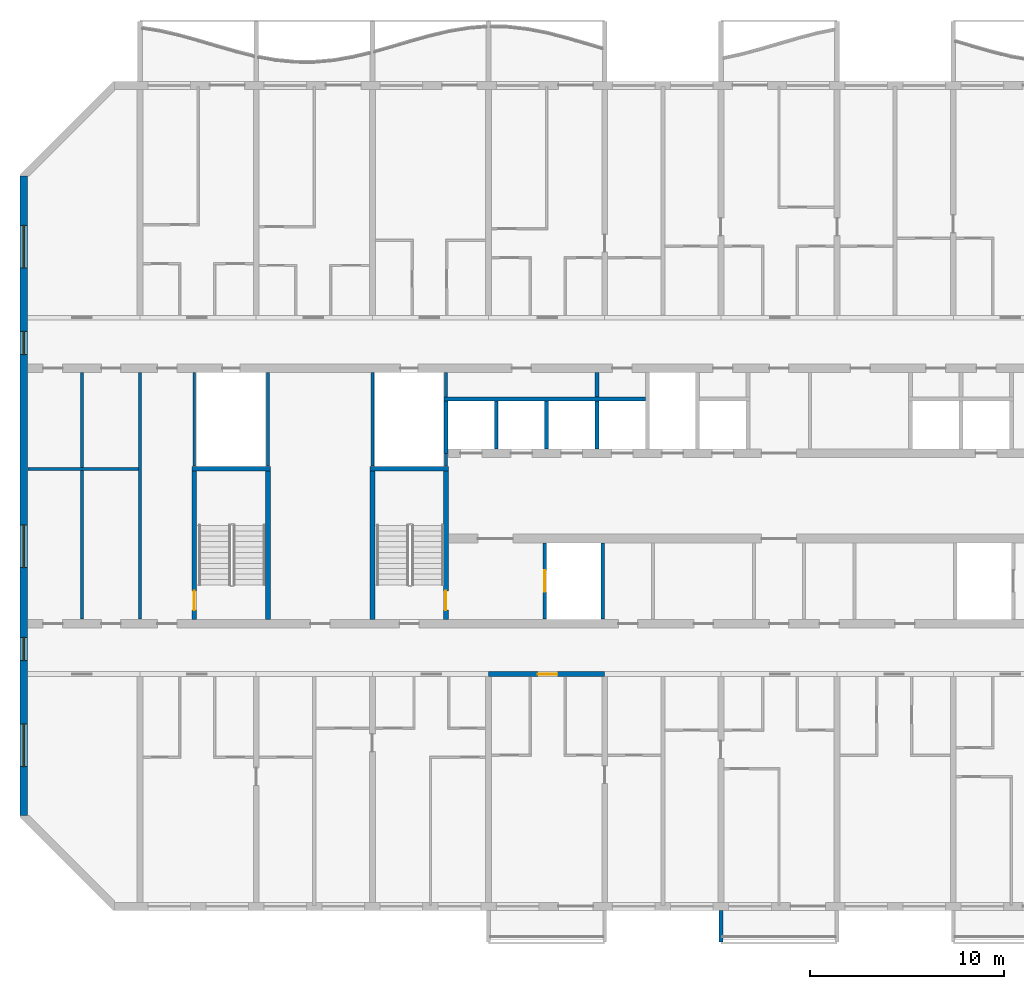
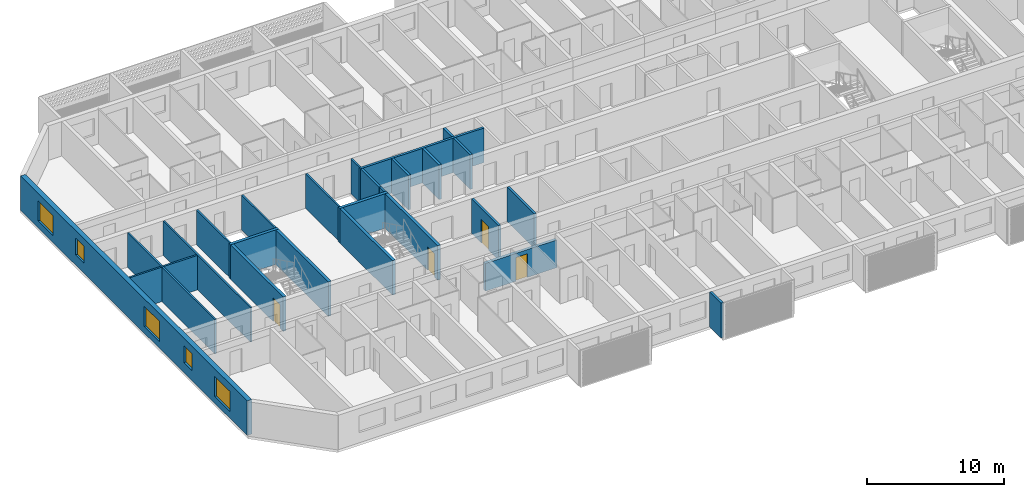
# One storey, part 3 of 32: 25 walls, 5 windows, 4 doors, 9 openings.
"""IFC4 building model written with IfcOpenShell, lengths in metres."""

from ifc_helpers import new_model, si_unit, direction, frame, frame_2d, origin, place, context, subcontext, project, spatial, polyline, rectangle, outline, extrude, source, transform, mapped, material, layer, layer_set, type_object, element, fill, save


model = new_model("IFC4")

# Units and contexts
model_context = context("Model", 3, precision=1e-05, world=origin(), true_north=direction((0.0, 1.0)))
body_context = subcontext(model_context, "Body", "Model", "MODEL_VIEW")
ifc_project = project(units=[si_unit("LENGTHUNIT", "METRE"), si_unit("AREAUNIT", "SQUARE_METRE"), si_unit("VOLUMEUNIT", "CUBIC_METRE"), si_unit("PLANEANGLEUNIT", "RADIAN"), si_unit("MASSUNIT", "GRAM", prefix="KILO")], contexts=[model_context])

# Site, building, storey
site_placement = place(None, origin())
site = spatial("IfcSite", under=ifc_project, at=site_placement, CompositionType="ELEMENT")
building_placement = place(site_placement, origin())
building = spatial("IfcBuilding", under=site, at=building_placement, Name="Poui Terraces", CompositionType="ELEMENT")
storey_placement = place(building_placement, frame((0.0, 0.0, 129.0)))
storey = spatial("IfcBuildingStorey", under=building, at=storey_placement, Name="L35", CompositionType="ELEMENT", Elevation=129.0)

# Wall
ifc_material_1 = material(Name="Fire-rated plasterboard wall")
ifc_layer_1 = layer(ifc_material_1, 0.14990234375)
ifc_layer_set_1 = layer_set([ifc_layer_1], Name="Fire-rated plasterboard wall")
wall_type_1 = type_object("IfcWallType", Name="CORRIDOR WALL 150", PredefinedType="PARTITIONING", material=ifc_layer_set_1)
wall_1_placement = place(storey_placement, frame((18.0, 14.8349609375, 0.0), z_axis=(0.0, 0.0, 1.0), x_axis=(0.0, 1.0, 0.0)))
element("IfcWall", 1, at=wall_1_placement, inside=storey, type_object=wall_type_1, Name="CORRIDOR WALL 150", PredefinedType="PARTITIONING", context=body_context, shape_type="SweptSolid", body=[
    extrude(rectangle(XDim=12.72998046875, YDim=0.14990234375, at=frame_2d((6.364990234375, 0.0))), origin(), (0.0, 0.0, 1.0), 3.070068359375),
])

# Wall, opening, door
ifc_material_2 = material(Name="Concrete 65 MPa", Category="concrete")
ifc_layer_2 = layer(ifc_material_2, 0.25)
ifc_layer_set_2 = layer_set([ifc_layer_2], Name="Concrete 65 MPa")
wall_type_2 = type_object("IfcWallType", Name="CORRIDOR WALL 250 65MPa", PredefinedType="SHEAR", material=ifc_layer_set_2)
wall_2_placement = place(storey_placement, frame((36.0, 12.0, 0.0), z_axis=(0.0, 0.0, 1.0), x_axis=(1.0, 0.0, 0.0)))
wall_2 = element("IfcWall", 2, at=wall_2_placement, inside=storey, type_object=wall_type_2, Name="CORRIDOR WALL LINE B BAY 5", PredefinedType="SHEAR", context=body_context, shape_type="SweptSolid", body=[
    extrude(rectangle(XDim=6.0, YDim=0.25, at=frame_2d((3.0, 0.0))), origin(), (0.0, 0.0, 1.0), 2.469970703125),
])
opening_1_placement = place(wall_2_placement, frame((2.550048828125, 0.0, 0.0)))
opening_1 = element("IfcOpeningElement", 3, at=opening_1_placement, cuts=wall_2, Name="Opening FD30S", PredefinedType="OPENING", context=body_context, shape_type="SweptSolid", body=[
    extrude(rectangle(XDim=1.0, YDim=2.10009765625, at=frame_2d((0.5, 1.050048828125))), frame((0.0, 0.135009765625, 0.0), z_axis=(0.0, -1.0, 0.0), x_axis=(1.0, 0.0, 0.0)), (0.0, 0.0, 1.0), 0.27001953125),
])
ifc_material_3 = material(Name="Steel fire door", Category="steel")
door_type_1 = type_object("IfcDoorType", Name="FLAT ENTRANCE DOOR 1000 X 2100", OperationType="NOTDEFINED", PredefinedType="DOOR", material=ifc_material_3)
door_1_placement = place(opening_1_placement, frame((1.0, 0.0, 0.0), z_axis=(0.0, 0.0, 1.0), x_axis=(-1.0, 0.0, 0.0)))
door_1 = element("IfcDoor", 4, at=door_1_placement, inside=storey, type_object=door_type_1, Name="FLAT ENTRANCE DOOR 092", OperationType="SINGLE_SWING_LEFT", OverallHeight=2.10009765625, OverallWidth=1.0, PredefinedType="DOOR", context=body_context, shape_type="SweptSolid", body=[
    extrude(rectangle(XDim=1.0, YDim=2.10009765625, at=frame_2d((0.5, 1.050048828125))), frame((0.0, 0.02490234375, 0.0), z_axis=(0.0, -1.0, 0.0), x_axis=(1.0, 0.0, 0.0)), (0.0, 0.0, 1.0), 0.050048828125),
])
fill(opening_1, door_1)

# Wall, openings, windows
ifc_layer_3 = layer(ifc_material_2, 0.39990234375)
ifc_layer_set_3 = layer_set([ifc_layer_3], Name="Concrete 65 MPa")
wall_type_3 = type_object("IfcWallType", Name="END WALL 400 65MPa", PredefinedType="SHEAR", material=ifc_layer_set_3)
wall_3_placement = place(storey_placement, frame((12.0, 4.682861328125, 0.0), z_axis=(0.0, 0.0, 1.0), x_axis=(0.0, 1.0, 0.0)))
wall_3 = element("IfcWall", 5, at=wall_3_placement, inside=storey, type_object=wall_type_3, Name="END WALL WEST", PredefinedType="SHEAR", context=body_context, shape_type="SweptSolid", body=[
    extrude(rectangle(XDim=33.034423828125, YDim=0.39990234375, at=frame_2d((16.51708984375, 0.0))), origin(), (0.0, 0.0, 1.0), 3.070068359375),
])
opening_2_placement = place(wall_3_placement, frame((23.817138671875, 0.0, 0.89990234375)))
opening_2 = element("IfcOpeningElement", 6, at=opening_2_placement, cuts=wall_3, Name="Opening W2", PredefinedType="OPENING", context=body_context, shape_type="SweptSolid", body=[
    extrude(rectangle(XDim=1.199951171875, YDim=1.5, at=frame_2d((0.60009765625, 0.75))), frame((0.0, 0.2099609375, 0.0), z_axis=(0.0, -1.0, 0.0), x_axis=(1.0, 0.0, 0.0)), (0.0, 0.0, 1.0), 0.419921875),
])
opening_3_placement = place(wall_3_placement, frame((8.01708984375, 0.0, 0.89990234375)))
opening_3 = element("IfcOpeningElement", 7, at=opening_3_placement, cuts=wall_3, Name="Opening W2", PredefinedType="OPENING", context=body_context, shape_type="SweptSolid", body=[
    extrude(rectangle(XDim=1.199951171875, YDim=1.5, at=frame_2d((0.60009765625, 0.75))), frame((0.0, 0.2099609375, 0.0), z_axis=(0.0, -1.0, 0.0), x_axis=(1.0, 0.0, 0.0)), (0.0, 0.0, 1.0), 0.419921875),
])
opening_4_placement = place(wall_3_placement, frame((28.29345703125, 0.0, 0.60009765625)))
opening_4 = element("IfcOpeningElement", 8, at=opening_4_placement, cuts=wall_3, Name="Opening W3", PredefinedType="OPENING", context=body_context, shape_type="SweptSolid", body=[
    extrude(rectangle(XDim=2.199951171875, YDim=1.800048828125, at=frame_2d((1.10009765625, 0.89990234375))), frame((0.0, 0.2099609375, 0.0), z_axis=(0.0, -1.0, 0.0), x_axis=(1.0, 0.0, 0.0)), (0.0, 0.0, 1.0), 0.419921875),
])
opening_5_placement = place(wall_3_placement, frame((2.541015625, 0.0, 0.60009765625)))
opening_5 = element("IfcOpeningElement", 9, at=opening_5_placement, cuts=wall_3, Name="Opening W3", PredefinedType="OPENING", context=body_context, shape_type="SweptSolid", body=[
    extrude(rectangle(XDim=2.199951171875, YDim=1.800048828125, at=frame_2d((1.10009765625, 0.89990234375))), frame((0.0, 0.2099609375, 0.0), z_axis=(0.0, -1.0, 0.0), x_axis=(1.0, 0.0, 0.0)), (0.0, 0.0, 1.0), 0.419921875),
])
opening_6_placement = place(wall_3_placement, frame((12.817138671875, 0.0, 0.60009765625)))
opening_6 = element("IfcOpeningElement", 10, at=opening_6_placement, cuts=wall_3, Name="Opening W3", PredefinedType="OPENING", context=body_context, shape_type="SweptSolid", body=[
    extrude(rectangle(XDim=2.199951171875, YDim=1.800048828125, at=frame_2d((1.10009765625, 0.89990234375))), frame((0.0, 0.2099609375, 0.0), z_axis=(0.0, -1.0, 0.0), x_axis=(1.0, 0.0, 0.0)), (0.0, 0.0, 1.0), 0.419921875),
])
ifc_material_4 = material(Name="Clear glass in aluminium frame", Category="aluminium")
window_type_1 = type_object("IfcWindowType", Name="WINDOW 1200X1500", PartitioningType="SINGLE_PANEL", PredefinedType="WINDOW", material=ifc_material_4)
window_1_placement = place(opening_2_placement, origin())
window_1 = element("IfcWindow", 11, at=window_1_placement, inside=storey, type_object=window_type_1, Name="W2 WINDOW", OverallHeight=1.5, OverallWidth=1.199951171875, PartitioningType="SINGLE_PANEL", PredefinedType="WINDOW", context=body_context, shape_type="SweptSolid", body=[
    extrude(rectangle(XDim=1.199951171875, YDim=1.5, at=frame_2d((0.60009765625, 0.75))), frame((0.0, 0.030029296875, 0.0), z_axis=(0.0, -1.0, 0.0), x_axis=(1.0, 0.0, 0.0)), (0.0, 0.0, 1.0), 0.06005859375),
])
fill(opening_2, window_1)
window_2_placement = place(opening_3_placement, origin())
window_2 = element("IfcWindow", 12, at=window_2_placement, inside=storey, type_object=window_type_1, Name="W2 WINDOW", OverallHeight=1.5, OverallWidth=1.199951171875, PartitioningType="SINGLE_PANEL", PredefinedType="WINDOW", context=body_context, shape_type="SweptSolid", body=[
    extrude(rectangle(XDim=1.199951171875, YDim=1.5, at=frame_2d((0.60009765625, 0.75))), frame((0.0, 0.030029296875, 0.0), z_axis=(0.0, -1.0, 0.0), x_axis=(1.0, 0.0, 0.0)), (0.0, 0.0, 1.0), 0.06005859375),
])
fill(opening_3, window_2)
window_type_2 = type_object("IfcWindowType", Name="WINDOW 2200X1800", PartitioningType="DOUBLE_PANEL_HORIZONTAL", PredefinedType="WINDOW", material=ifc_material_4)
window_3_placement = place(opening_4_placement, origin())
window_3 = element("IfcWindow", 13, at=window_3_placement, inside=storey, type_object=window_type_2, Name="W3 WINDOW", OverallHeight=1.800048828125, OverallWidth=2.199951171875, PartitioningType="DOUBLE_PANEL_HORIZONTAL", PredefinedType="WINDOW", context=body_context, shape_type="SweptSolid", body=[
    extrude(rectangle(XDim=2.199951171875, YDim=1.800048828125, at=frame_2d((1.10009765625, 0.89990234375))), frame((0.0, 0.030029296875, 0.0), z_axis=(0.0, -1.0, 0.0), x_axis=(1.0, 0.0, 0.0)), (0.0, 0.0, 1.0), 0.06005859375),
])
fill(opening_4, window_3)
window_4_placement = place(opening_5_placement, origin())
window_4 = element("IfcWindow", 14, at=window_4_placement, inside=storey, type_object=window_type_2, Name="W3 WINDOW", OverallHeight=1.800048828125, OverallWidth=2.199951171875, PartitioningType="DOUBLE_PANEL_HORIZONTAL", PredefinedType="WINDOW", context=body_context, shape_type="SweptSolid", body=[
    extrude(rectangle(XDim=2.199951171875, YDim=1.800048828125, at=frame_2d((1.10009765625, 0.89990234375))), frame((0.0, 0.030029296875, 0.0), z_axis=(0.0, -1.0, 0.0), x_axis=(1.0, 0.0, 0.0)), (0.0, 0.0, 1.0), 0.06005859375),
])
fill(opening_5, window_4)
window_5_placement = place(opening_6_placement, origin())
window_5 = element("IfcWindow", 15, at=window_5_placement, inside=storey, type_object=window_type_2, Name="W3 WINDOW", OverallHeight=1.800048828125, OverallWidth=2.199951171875, PartitioningType="DOUBLE_PANEL_HORIZONTAL", PredefinedType="WINDOW", context=body_context, shape_type="SweptSolid", body=[
    extrude(rectangle(XDim=2.199951171875, YDim=1.800048828125, at=frame_2d((1.10009765625, 0.89990234375))), frame((0.0, 0.030029296875, 0.0), z_axis=(0.0, -1.0, 0.0), x_axis=(1.0, 0.0, 0.0)), (0.0, 0.0, 1.0), 0.06005859375),
])
fill(opening_6, window_5)

# Walls
ifc_material_5 = material(Name="Plasterboard partition")
ifc_layer_4 = layer(ifc_material_5, 0.14990234375)
ifc_layer_set_4 = layer_set([ifc_layer_4], Name="Plasterboard partition")
wall_type_4 = type_object("IfcWallType", Name="PARTITION WALL 150", PredefinedType="PARTITIONING", material=ifc_layer_set_4)
wall_4_placement = place(storey_placement, frame((12.2099609375, 22.60009765625, 0.0), z_axis=(0.0, 0.0, 1.0), x_axis=(1.0, 0.0, 0.0)))
element("IfcWall", 16, at=wall_4_placement, inside=storey, type_object=wall_type_4, Name="PARTITION WALL 150", PredefinedType="PARTITIONING", context=body_context, shape_type="SweptSolid", body=[
    extrude(rectangle(XDim=5.715087890625, YDim=0.14990234375, at=frame_2d((2.857421875, 0.0))), origin(), (0.0, 0.0, 1.0), 3.070068359375),
])
wall_5_placement = place(storey_placement, frame((15.0, 14.8349609375, 0.0), z_axis=(0.0, 0.0, 1.0), x_axis=(0.0, 1.0, 0.0)))
element("IfcWall", 17, at=wall_5_placement, inside=storey, type_object=wall_type_4, Name="PARTITION WALL 150", PredefinedType="PARTITIONING", context=body_context, shape_type="SweptSolid", body=[
    extrude(rectangle(XDim=12.72998046875, YDim=0.14990234375, at=frame_2d((6.364990234375, 0.0))), origin(), (0.0, 0.0, 1.0), 3.070068359375),
])
ifc_material_6 = material(Name="Fire-rated masonry wall", Category="masonry")
ifc_layer_5 = layer(ifc_material_6, 0.199951171875)
ifc_layer_set_5 = layer_set([ifc_layer_5], Name="Fire-rated masonry wall")
wall_type_5 = type_object("IfcWallType", Name="PLANT ROOM WALL 200", PredefinedType="PARTITIONING", material=ifc_layer_set_5)
wall_6_placement = place(storey_placement, frame((41.60009765625, 26.300048828125, 0.0), z_axis=(0.0, 0.0, 1.0), x_axis=(0.0, 1.0, 0.0)))
element("IfcWall", 18, at=wall_6_placement, inside=storey, type_object=wall_type_5, Name="PLANT ROOM WALL 200", PredefinedType="PARTITIONING", context=body_context, shape_type="SweptSolid", body=[
    extrude(rectangle(XDim=1.264892578125, YDim=0.199951171875, at=frame_2d((0.63232421875, 0.0))), origin(), (0.0, 0.0, 1.0), 3.070068359375),
])
ifc_material_7 = material(Name="Fire-rated plasterboard riser wall")
ifc_layer_6 = layer(ifc_material_7, 0.14990234375)
ifc_layer_set_6 = layer_set([ifc_layer_6], Name="Fire-rated plasterboard riser wall")
wall_type_6 = type_object("IfcWallType", Name="RISER WALL 150", PredefinedType="PARTITIONING", material=ifc_layer_set_6)
for number, where, z_axis, x_axis, name in (
    (19, (20.800048828125, 22.735107421875, 0.0), (0.0, 0.0, 1.0), (0.0, 1.0, 0.0), "RISER WALL 150"),
    (20, (24.60009765625, 22.735107421875, 0.0), (0.0, 0.0, 1.0), (0.0, 1.0, 0.0), "RISER WALL 150"),
    (21, (30.0, 22.735107421875, 0.0), (0.0, 0.0, 1.0), (0.0, 1.0, 0.0), "RISER WALL 150"),
):
    element("IfcWall", number, at=place(storey_placement, frame(where, z_axis=z_axis, x_axis=x_axis)), inside=storey, type_object=wall_type_6, Name=name, PredefinedType="PARTITIONING", context=body_context, shape_type="SweptSolid", body=[
        extrude(rectangle(XDim=4.829833984375, YDim=0.14990234375, at=frame_2d((2.4150390625, 0.0))), origin(), (0.0, 0.0, 1.0), 3.070068359375),
    ])
wall_7_placement = place(storey_placement, frame((33.800048828125, 22.735107421875, 0.0), z_axis=(0.0, 0.0, 1.0), x_axis=(0.0, 1.0, 0.0)))
element("IfcWall", 22, at=wall_7_placement, inside=storey, type_object=wall_type_6, Name="RISER WALL 150", PredefinedType="PARTITIONING", context=body_context, shape_type="SweptSolid", body=[
    extrude(rectangle(XDim=0.664794921875, YDim=0.14990234375, at=frame_2d((0.33251953125, 0.0))), origin(), (0.0, 0.0, 1.0), 3.070068359375),
])
wall_8_placement = place(storey_placement, frame((33.800048828125, 26.300048828125, 0.0), z_axis=(0.0, 0.0, 1.0), x_axis=(0.0, 1.0, 0.0)))
element("IfcWall", 23, at=wall_8_placement, inside=storey, type_object=wall_type_6, Name="RISER WALL 150", PredefinedType="PARTITIONING", context=body_context, shape_type="SweptSolid", body=[
    extrude(rectangle(XDim=1.264892578125, YDim=0.14990234375, at=frame_2d((0.63232421875, 0.0))), origin(), (0.0, 0.0, 1.0), 3.070068359375),
])
ifc_material_8 = material(Name="Fire-rated masonry shaft wall", Category="masonry")
ifc_layer_7 = layer(ifc_material_8, 0.199951171875)
ifc_layer_set_7 = layer_set([ifc_layer_7], Name="Fire-rated masonry shaft wall")
wall_type_7 = type_object("IfcWallType", Name="SHAFT WALL 200", PredefinedType="PARTITIONING", material=ifc_layer_set_7)
wall_9_placement = place(storey_placement, frame((33.699951171875, 26.199951171875, 0.0), z_axis=(0.0, 0.0, 1.0), x_axis=(1.0, 0.0, 0.0)))
element("IfcWall", 24, at=wall_9_placement, inside=storey, type_object=wall_type_7, Name="SHAFT WALL 200", PredefinedType="PARTITIONING", context=body_context, shape_type="SweptSolid", body=[
    extrude(rectangle(XDim=10.400146484375, YDim=0.199951171875, at=frame_2d((5.2001953125, 0.0))), origin(), (0.0, 0.0, 1.0), 3.070068359375),
])
wall_10_placement = place(storey_placement, frame((33.800048828125, 23.39990234375, 0.0), z_axis=(0.0, 0.0, 1.0), x_axis=(0.0, 1.0, 0.0)))
element("IfcWall", 25, at=wall_10_placement, inside=storey, type_object=wall_type_7, Name="SHAFT WALL 200", PredefinedType="PARTITIONING", context=body_context, shape_type="SweptSolid", body=[
    extrude(rectangle(XDim=2.7001953125, YDim=0.199951171875, at=frame_2d((1.35009765625, 0.0))), origin(), (0.0, 0.0, 1.0), 3.070068359375),
])
wall_11_placement = place(storey_placement, frame((36.39990234375, 23.635009765625, 0.0), z_axis=(0.0, 0.0, 1.0), x_axis=(0.0, 1.0, 0.0)))
element("IfcWall", 26, at=wall_11_placement, inside=storey, type_object=wall_type_7, Name="SHAFT WALL 200", PredefinedType="PARTITIONING", context=body_context, shape_type="SweptSolid", body=[
    extrude(rectangle(XDim=2.465087890625, YDim=0.199951171875, at=frame_2d((1.232421875, 0.0))), origin(), (0.0, 0.0, 1.0), 3.070068359375),
])

# Wall, opening, door
wall_12_placement = place(storey_placement, frame((38.89990234375, 14.8349609375, 0.0), z_axis=(0.0, 0.0, 1.0), x_axis=(0.0, 1.0, 0.0)))
wall_12 = element("IfcWall", 27, at=wall_12_placement, inside=storey, type_object=wall_type_7, Name="SHAFT WALL 200", PredefinedType="PARTITIONING", context=body_context, shape_type="SweptSolid", body=[
    extrude(rectangle(XDim=3.929931640625, YDim=0.199951171875, at=frame_2d((1.96484375, 0.0))), origin(), (0.0, 0.0, 1.0), 3.070068359375),
])
opening_7_placement = place(wall_12_placement, frame((1.4150390625, 0.0, 0.0)))
opening_7 = element("IfcOpeningElement", 28, at=opening_7_placement, cuts=wall_12, Name="Opening LD", PredefinedType="OPENING", context=body_context, shape_type="SweptSolid", body=[
    extrude(rectangle(XDim=1.10009765625, YDim=2.10009765625, at=frame_2d((0.550048828125, 1.050048828125))), frame((0.0, 0.10986328125, 0.0), z_axis=(0.0, -1.0, 0.0), x_axis=(1.0, 0.0, 0.0)), (0.0, 0.0, 1.0), 0.219970703125),
])
ifc_material_9 = material(Name="Stainless steel sliding door", Category="steel")
door_type_2 = type_object("IfcDoorType", Name="LIFT LANDING DOOR 1100 X 2100", OperationType="DOUBLE_DOOR_SLIDING", PredefinedType="DOOR", material=ifc_material_9)
door_2_placement = place(opening_7_placement, origin())
door_2 = element("IfcDoor", 29, at=door_2_placement, inside=storey, type_object=door_type_2, Name="LANDING DOOR", OperationType="DOUBLE_DOOR_SLIDING", OverallHeight=2.10009765625, OverallWidth=1.10009765625, PredefinedType="DOOR", context=body_context, shape_type="SweptSolid", body=[
    extrude(rectangle(XDim=1.10009765625, YDim=2.10009765625, at=frame_2d((0.550048828125, 1.050048828125))), frame((0.0, 0.02490234375, 0.0), z_axis=(0.0, -1.0, 0.0), x_axis=(1.0, 0.0, 0.0)), (0.0, 0.0, 1.0), 0.050048828125),
])
fill(opening_7, door_2)

# Walls
for number, where, z_axis, x_axis, name in (
    (30, (39.0, 23.635009765625, 0.0), (0.0, 0.0, 1.0), (0.0, 1.0, 0.0), "SHAFT WALL 200"),
    (31, (41.60009765625, 23.635009765625, 0.0), (0.0, 0.0, 1.0), (0.0, 1.0, 0.0), "SHAFT WALL 200"),
):
    element("IfcWall", number, at=place(storey_placement, frame(where, z_axis=z_axis, x_axis=x_axis)), inside=storey, type_object=wall_type_7, Name=name, PredefinedType="PARTITIONING", context=body_context, shape_type="SweptSolid", body=[
        extrude(rectangle(XDim=2.465087890625, YDim=0.199951171875, at=frame_2d((1.232421875, 0.0))), origin(), (0.0, 0.0, 1.0), 3.070068359375),
    ])
wall_13_placement = place(storey_placement, frame((41.89990234375, 14.8349609375, 0.0), z_axis=(0.0, 0.0, 1.0), x_axis=(0.0, 1.0, 0.0)))
element("IfcWall", 32, at=wall_13_placement, inside=storey, type_object=wall_type_7, Name="SHAFT WALL 200", PredefinedType="PARTITIONING", context=body_context, shape_type="SweptSolid", body=[
    extrude(rectangle(XDim=3.929931640625, YDim=0.199951171875, at=frame_2d((1.96484375, 0.0))), origin(), (0.0, 0.0, 1.0), 3.070068359375),
])
ifc_layer_8 = layer(ifc_material_2, 0.25)
ifc_layer_set_8 = layer_set([ifc_layer_8], Name="Concrete 65 MPa")
wall_type_8 = type_object("IfcWallType", Name="STAIR CORE WALL 250 65 MPA", PredefinedType="SOLIDWALL", material=ifc_layer_set_8)
wall_14_placement = place(storey_placement, frame((30.0, 14.824951171875, 0.0), z_axis=(0.0, 0.0, 1.0), x_axis=(0.0, 1.0, 0.0)))
element("IfcWall", 33, at=wall_14_placement, inside=storey, type_object=wall_type_8, Name="STAIR CORE WALL", PredefinedType="SOLIDWALL", context=body_context, shape_type="SweptSolid", body=[
    extrude(rectangle(XDim=7.650146484375, YDim=0.25, at=frame_2d((3.8251953125, 0.0))), origin(), (0.0, 0.0, 1.0), 3.070068359375),
])

# Wall, opening, door
wall_15_placement = place(storey_placement, frame((33.800048828125, 14.824951171875, 0.0), z_axis=(0.0, 0.0, 1.0), x_axis=(0.0, 1.0, 0.0)))
wall_15 = element("IfcWall", 34, at=wall_15_placement, inside=storey, type_object=wall_type_8, Name="STAIR CORE WALL", PredefinedType="SOLIDWALL", context=body_context, shape_type="SweptSolid", body=[
    extrude(rectangle(XDim=7.650146484375, YDim=0.25, at=frame_2d((3.8251953125, 0.0))), origin(), (0.0, 0.0, 1.0), 3.070068359375),
])
opening_8_placement = place(wall_15_placement, frame((0.47509765625, 0.0, 0.0)))
opening_8 = element("IfcOpeningElement", 35, at=opening_8_placement, cuts=wall_15, Name="Opening FD60S", PredefinedType="OPENING", context=body_context, shape_type="SweptSolid", body=[
    extrude(rectangle(XDim=1.0, YDim=2.10009765625, at=frame_2d((0.5, 1.050048828125))), frame((0.0, 0.135009765625, 0.0), z_axis=(0.0, -1.0, 0.0), x_axis=(1.0, 0.0, 0.0)), (0.0, 0.0, 1.0), 0.27001953125),
])
door_type_3 = type_object("IfcDoorType", Name="STAIR DOOR 1000 X 2100", OperationType="NOTDEFINED", PredefinedType="DOOR", material=ifc_material_3)
door_3_placement = place(opening_8_placement, origin())
door_3 = element("IfcDoor", 36, at=door_3_placement, inside=storey, type_object=door_type_3, Name="STAIR DOOR 123", OperationType="SINGLE_SWING_LEFT", OverallHeight=2.10009765625, OverallWidth=1.0, PredefinedType="DOOR", context=body_context, shape_type="SweptSolid", body=[
    extrude(rectangle(XDim=1.0, YDim=2.10009765625, at=frame_2d((0.5, 1.050048828125))), frame((0.0, 0.02490234375, 0.0), z_axis=(0.0, -1.0, 0.0), x_axis=(1.0, 0.0, 0.0)), (0.0, 0.0, 1.0), 0.050048828125),
])
fill(opening_8, door_3)

# Wall
wall_16_placement = place(storey_placement, frame((29.875, 22.60009765625, 0.0), z_axis=(0.0, 0.0, 1.0), x_axis=(1.0, 0.0, 0.0)))
element("IfcWall", 37, at=wall_16_placement, inside=storey, type_object=wall_type_8, Name="STAIR CORE WALL", PredefinedType="SOLIDWALL", context=body_context, shape_type="SweptSolid", body=[
    extrude(rectangle(XDim=4.050048828125, YDim=0.25, at=frame_2d((2.02490234375, 0.0))), origin(), (0.0, 0.0, 1.0), 3.070068359375),
])

# Wall, opening, door
wall_17_placement = place(storey_placement, frame((20.800048828125, 14.824951171875, 0.0), z_axis=(0.0, 0.0, 1.0), x_axis=(0.0, 1.0, 0.0)))
wall_17 = element("IfcWall", 38, at=wall_17_placement, inside=storey, type_object=wall_type_8, Name="STAIR CORE WALL", PredefinedType="SOLIDWALL", context=body_context, shape_type="SweptSolid", body=[
    extrude(rectangle(XDim=7.650146484375, YDim=0.25, at=frame_2d((3.8251953125, 0.0))), origin(), (0.0, 0.0, 1.0), 3.070068359375),
])
opening_9_placement = place(wall_17_placement, frame((0.47509765625, 0.0, 0.0)))
opening_9 = element("IfcOpeningElement", 39, at=opening_9_placement, cuts=wall_17, Name="Opening FD60S", PredefinedType="OPENING", context=body_context, shape_type="SweptSolid", body=[
    extrude(rectangle(XDim=1.0, YDim=2.10009765625, at=frame_2d((0.5, 1.050048828125))), frame((0.0, 0.135009765625, 0.0), z_axis=(0.0, -1.0, 0.0), x_axis=(1.0, 0.0, 0.0)), (0.0, 0.0, 1.0), 0.27001953125),
])
door_4_placement = place(opening_9_placement, frame((1.0, 0.0, 0.0), z_axis=(0.0, 0.0, 1.0), x_axis=(-1.0, 0.0, 0.0)))
door_4 = element("IfcDoor", 40, at=door_4_placement, inside=storey, type_object=door_type_3, Name="STAIR DOOR 137", OperationType="SINGLE_SWING_RIGHT", OverallHeight=2.10009765625, OverallWidth=1.0, PredefinedType="DOOR", context=body_context, shape_type="SweptSolid", body=[
    extrude(rectangle(XDim=1.0, YDim=2.10009765625, at=frame_2d((0.5, 1.050048828125))), frame((0.0, 0.02490234375, 0.0), z_axis=(0.0, -1.0, 0.0), x_axis=(1.0, 0.0, 0.0)), (0.0, 0.0, 1.0), 0.050048828125),
])
fill(opening_9, door_4)

# Walls
wall_18_placement = place(storey_placement, frame((24.60009765625, 14.824951171875, 0.0), z_axis=(0.0, 0.0, 1.0), x_axis=(0.0, 1.0, 0.0)))
element("IfcWall", 41, at=wall_18_placement, inside=storey, type_object=wall_type_8, Name="STAIR CORE WALL", PredefinedType="SOLIDWALL", context=body_context, shape_type="SweptSolid", body=[
    extrude(rectangle(XDim=7.650146484375, YDim=0.25, at=frame_2d((3.8251953125, 0.0))), origin(), (0.0, 0.0, 1.0), 3.070068359375),
])
wall_19_placement = place(storey_placement, frame((20.675048828125, 22.60009765625, 0.0), z_axis=(0.0, 0.0, 1.0), x_axis=(1.0, 0.0, 0.0)))
element("IfcWall", 42, at=wall_19_placement, inside=storey, type_object=wall_type_8, Name="STAIR CORE WALL", PredefinedType="SOLIDWALL", context=body_context, shape_type="SweptSolid", body=[
    extrude(rectangle(XDim=4.050048828125, YDim=0.25, at=frame_2d((2.02490234375, 0.0))), origin(), (0.0, 0.0, 1.0), 3.070068359375),
])
ifc_material_10 = material(Name="Precast concrete 40 MPa", Category="concrete")
ifc_layer_9 = layer(ifc_material_10, 0.199951171875)
ifc_layer_set_9 = layer_set([ifc_layer_9], Name="Precast concrete 40 MPa")
wall_type_9 = type_object("IfcWallType", Name="REAR FIN 200", PredefinedType="STANDARD", material=ifc_layer_set_9)
shared_shape = source(origin(), body_context, "Body", "SweptSolid", [
    extrude(outline(polyline([(0.0, 0.0), (0.2001953125, 0.0), (0.2001953125, 1.650146484375), (0.0, 1.650146484375), (0.0, 0.0)])), origin(), (0.0, 0.0, 1.0), 3.10009765625),
])
wall_20_placement = place(storey_placement, frame((47.89990234375, -1.85009765625, 0.0)))
element("IfcWall", 43, at=wall_20_placement, inside=storey, type_object=wall_type_9, Name="REAR FIN", PredefinedType="STANDARD", context=body_context, shape_type="MappedRepresentation", body=[
    mapped(shared_shape, transform((0.0, 0.0, 0.0))),
])

save(model, "model.ifc")
